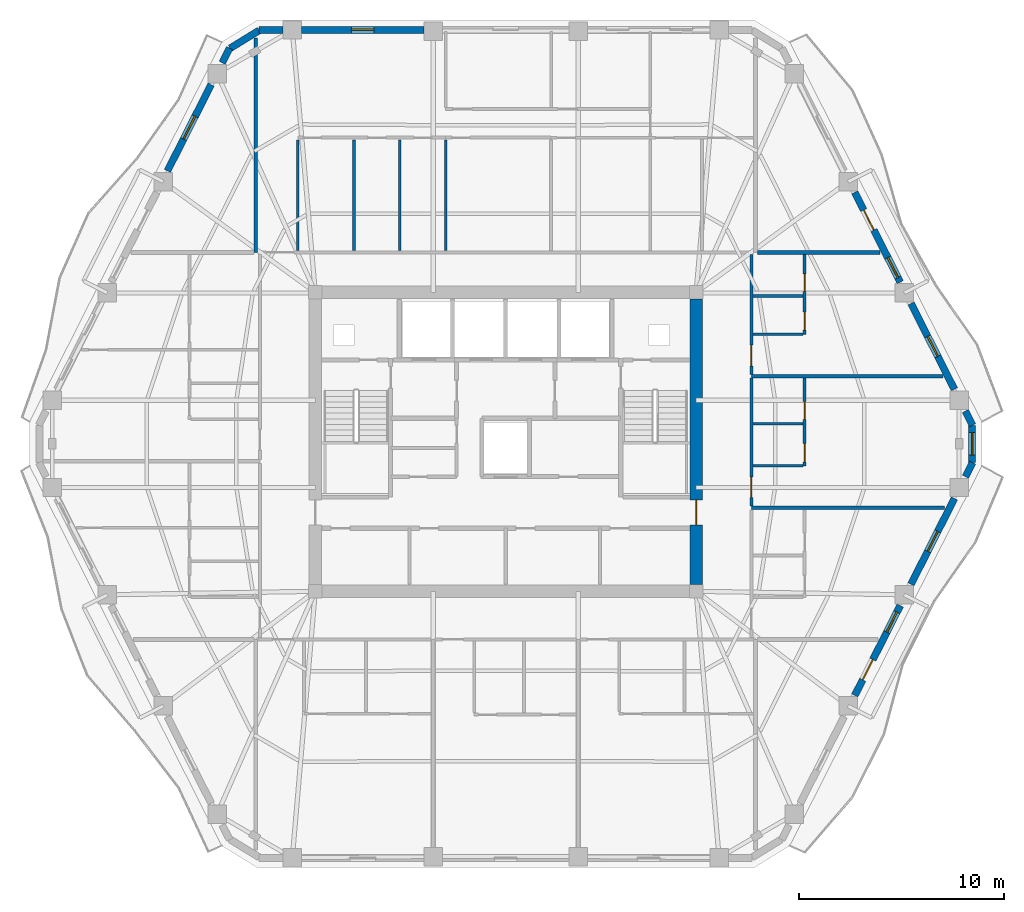
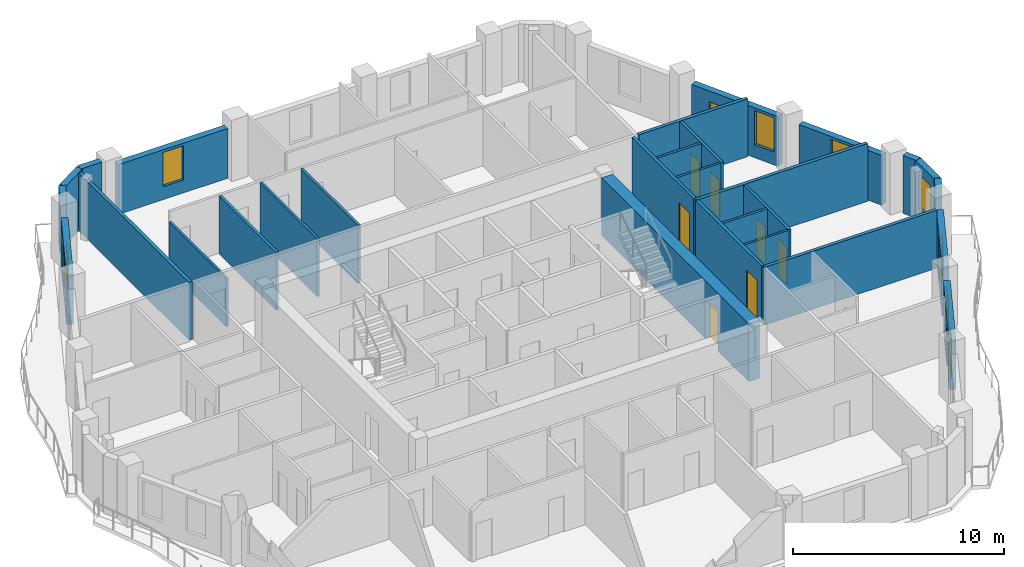
# One storey, part 7 of 12: 29 walls, 9 doors, 7 windows, 16 openings.
"""IFC4 building model written with IfcOpenShell, lengths in metres."""

from ifc_helpers import new_model, si_unit, direction, frame, frame_2d, origin, place, context, subcontext, project, spatial, rectangle, extrude, material, layer, layer_set, type_object, element, fill, save


model = new_model("IFC4")

# Units and contexts
model_context = context("Model", 3, precision=1e-05, world=origin(), true_north=direction((0.0, 1.0)))
body_context = subcontext(model_context, "Body", "Model", "MODEL_VIEW")
ifc_project = project(units=[si_unit("LENGTHUNIT", "METRE"), si_unit("AREAUNIT", "SQUARE_METRE"), si_unit("VOLUMEUNIT", "CUBIC_METRE"), si_unit("PLANEANGLEUNIT", "RADIAN"), si_unit("MASSUNIT", "GRAM", prefix="KILO")], contexts=[model_context])

# Site, building, storey
site_placement = place(None, origin())
site = spatial("IfcSite", under=ifc_project, at=site_placement, CompositionType="ELEMENT")
building_placement = place(site_placement, origin())
building = spatial("IfcBuilding", under=site, at=building_placement, Name="Cinnabar Lancet Tower", CompositionType="ELEMENT")
storey_placement = place(building_placement, frame((0.0, 0.0, 189.64990234375)))
storey = spatial("IfcBuildingStorey", under=building, at=storey_placement, Name="L50", CompositionType="ELEMENT", Elevation=189.64990234375)

# Wall, opening, door
ifc_material_1 = material(Name="Acoustic twin-stud gypsum partition", Category="gypsum")
ifc_layer_1 = layer(ifc_material_1, 0.159912109375)
ifc_layer_set_1 = layer_set([ifc_layer_1], Name="Acoustic twin-stud gypsum partition")
wall_type_1 = type_object("IfcWallType", Name="ARC-WL-CORR-160", PredefinedType="PARTITIONING", material=ifc_layer_set_1)
wall_1_placement = place(storey_placement, frame((44.39990234375, 22.77099609375, 0.0), z_axis=(0.0, 0.0, 1.0), x_axis=(0.0, 1.0, 0.0)))
wall_1 = element("IfcWall", 1, at=wall_1_placement, inside=storey, type_object=wall_type_1, Name="UW-L50-E02-COR", PredefinedType="PARTITIONING", context=body_context, shape_type="SweptSolid", body=[
    extrude(rectangle(XDim=6.236083984375, YDim=0.159912109375, at=frame_2d((3.1181640625, 0.0))), origin(), (0.0, 0.0, 1.0), 3.35009765625),
])
opening_1_placement = place(wall_1_placement, frame((0.39990234375, 0.0, 0.0)))
opening_1 = element("IfcOpeningElement", 2, at=opening_1_placement, cuts=wall_1, Name="Opening UD-01", PredefinedType="OPENING", context=body_context, shape_type="SweptSolid", body=[
    extrude(rectangle(XDim=1.02001953125, YDim=2.25, at=frame_2d((0.510009765625, 1.125))), frame((0.0, 0.08984375, 0.0), z_axis=(0.0, -1.0, 0.0), x_axis=(1.0, 0.0, 0.0)), (0.0, 0.0, 1.0), 0.179931640625),
])
ifc_material_2 = material(Name="Solid timber fire-rated apartment entrance door", Category="wood")
door_type_1 = type_object("IfcDoorType", Name="ARC-DR-UNIT", OperationType="NOTDEFINED", PredefinedType="DOOR", material=ifc_material_2)
door_1_placement = place(opening_1_placement, origin())
door_1 = element("IfcDoor", 3, at=door_1_placement, inside=storey, type_object=door_type_1, Name="DR-L50-E02-ENT", OperationType="SINGLE_SWING_LEFT", OverallHeight=2.25, OverallWidth=1.02001953125, PredefinedType="DOOR", context=body_context, shape_type="SweptSolid", body=[
    extrude(rectangle(XDim=1.02001953125, YDim=2.25, at=frame_2d((0.510009765625, 1.125))), frame((0.0, 0.02490234375, 0.0), z_axis=(0.0, -1.0, 0.0), x_axis=(1.0, 0.0, 0.0)), (0.0, 0.0, 1.0), 0.050048828125),
])
fill(opening_1, door_1)

wall_2_placement = place(storey_placement, frame((44.39990234375, 29.197021484375, 0.0), z_axis=(0.0, 0.0, 1.0), x_axis=(0.0, 1.0, 0.0)))
wall_2 = element("IfcWall", 4, at=wall_2_placement, inside=storey, type_object=wall_type_1, Name="UW-L50-E03-COR", PredefinedType="PARTITIONING", context=body_context, shape_type="SweptSolid", body=[
    extrude(rectangle(XDim=5.85791015625, YDim=0.159912109375, at=frame_2d((2.928955078125, 0.0))), origin(), (0.0, 0.0, 1.0), 3.35009765625),
])
opening_2_placement = place(wall_2_placement, frame((0.39990234375, 0.0, 0.0)))
opening_2 = element("IfcOpeningElement", 5, at=opening_2_placement, cuts=wall_2, Name="Opening UD-01", PredefinedType="OPENING", context=body_context, shape_type="SweptSolid", body=[
    extrude(rectangle(XDim=1.02001953125, YDim=2.25, at=frame_2d((0.510009765625, 1.125))), frame((0.0, 0.08984375, 0.0), z_axis=(0.0, -1.0, 0.0), x_axis=(1.0, 0.0, 0.0)), (0.0, 0.0, 1.0), 0.179931640625),
])
door_2_placement = place(opening_2_placement, origin())
door_2 = element("IfcDoor", 6, at=door_2_placement, inside=storey, type_object=door_type_1, Name="DR-L50-E03-ENT", OperationType="SINGLE_SWING_RIGHT", OverallHeight=2.25, OverallWidth=1.02001953125, PredefinedType="DOOR", context=body_context, shape_type="SweptSolid", body=[
    extrude(rectangle(XDim=1.02001953125, YDim=2.25, at=frame_2d((0.510009765625, 1.125))), frame((0.0, 0.02490234375, 0.0), z_axis=(0.0, -1.0, 0.0), x_axis=(1.0, 0.0, 0.0)), (0.0, 0.0, 1.0), 0.050048828125),
])
fill(opening_2, door_2)

# Walls
ifc_material_3 = material(Name="Fire-rated twin-frame acoustic drywall", Category="gypsum")
ifc_layer_2 = layer(ifc_material_3, 0.179931640625)
ifc_layer_set_2 = layer_set([ifc_layer_2], Name="Fire-rated twin-frame acoustic drywall")
wall_type_2 = type_object("IfcWallType", Name="ARC-WL-PARTY-180", PredefinedType="PARTITIONING", material=ifc_layer_set_2)
wall_3_placement = place(storey_placement, frame((20.199951171875, 35.14990234375, 0.0), z_axis=(0.0, 0.0, 1.0), x_axis=(0.0, 1.0, 0.0)))
element("IfcWall", 7, at=wall_3_placement, inside=storey, type_object=wall_type_2, Name="PW-L50-NPTY-202", PredefinedType="PARTITIONING", context=body_context, shape_type="SweptSolid", body=[
    extrude(rectangle(XDim=10.482177734375, YDim=0.179931640625, at=frame_2d((5.2412109375, 0.0))), origin(), (0.0, 0.0, 1.0), 3.35009765625),
])
wall_4_placement = place(storey_placement, frame((44.695068359375, 35.14990234375, 0.0), z_axis=(0.0, 0.0, 1.0), x_axis=(1.0, 0.0, 0.0)))
element("IfcWall", 8, at=wall_4_placement, inside=storey, type_object=wall_type_2, Name="PW-L50-ENB", PredefinedType="PARTITIONING", context=body_context, shape_type="SweptSolid", body=[
    extrude(rectangle(XDim=5.994873046875, YDim=0.179931640625, at=frame_2d((2.99755859375, 0.0))), origin(), (0.0, 0.0, 1.0), 3.35009765625),
])
wall_5_placement = place(storey_placement, frame((44.39990234375, 22.676025390625, 0.0), z_axis=(0.0, 0.0, 1.0), x_axis=(1.0, 0.0, 0.0)))
element("IfcWall", 9, at=wall_5_placement, inside=storey, type_object=wall_type_2, Name="PW-L50-EPTY-1", PredefinedType="PARTITIONING", context=body_context, shape_type="SweptSolid", body=[
    extrude(rectangle(XDim=9.440185546875, YDim=0.179931640625, at=frame_2d((4.72021484375, 0.0))), origin(), (0.0, 0.0, 1.0), 3.35009765625),
])
wall_6_placement = place(storey_placement, frame((44.39990234375, 29.10205078125, 0.0), z_axis=(0.0, 0.0, 1.0), x_axis=(1.0, 0.0, 0.0)))
element("IfcWall", 10, at=wall_6_placement, inside=storey, type_object=wall_type_2, Name="PW-L50-EPTY-2", PredefinedType="PARTITIONING", context=body_context, shape_type="SweptSolid", body=[
    extrude(rectangle(XDim=9.35009765625, YDim=0.179931640625, at=frame_2d((4.675048828125, 0.0))), origin(), (0.0, 0.0, 1.0), 3.35009765625),
])
ifc_material_4 = material(Name="Gypsum plasterboard stud partition", Category="gypsum")
ifc_layer_3 = layer(ifc_material_4, 0.125)
ifc_layer_set_3 = layer_set([ifc_layer_3], Name="Gypsum plasterboard stud partition")
wall_type_3 = type_object("IfcWallType", Name="ARC-WL-UNIT-125", PredefinedType="PARTITIONING", material=ifc_layer_set_3)
wall_7_placement = place(storey_placement, frame((22.25, 35.235107421875, 0.0), z_axis=(0.0, 0.0, 1.0), x_axis=(0.0, 1.0, 0.0)))
element("IfcWall", 11, at=wall_7_placement, inside=storey, type_object=wall_type_3, Name="UW-L50-N01-FOYE", PredefinedType="PARTITIONING", context=body_context, shape_type="SweptSolid", body=[
    extrude(rectangle(XDim=5.413818359375, YDim=0.125, at=frame_2d((2.70703125, 0.0))), origin(), (0.0, 0.0, 1.0), 2.80712890625),
])
wall_8_placement = place(storey_placement, frame((27.23291015625, 35.235107421875, 0.0), z_axis=(0.0, 0.0, 1.0), x_axis=(0.0, 1.0, 0.0)))
element("IfcWall", 12, at=wall_8_placement, inside=storey, type_object=wall_type_3, Name="UW-L50-N01-STD", PredefinedType="PARTITIONING", context=body_context, shape_type="SweptSolid", body=[
    extrude(rectangle(XDim=5.413818359375, YDim=0.125, at=frame_2d((2.70703125, 0.0))), origin(), (0.0, 0.0, 1.0), 3.35009765625),
])
for number, where, z_axis, x_axis, name in (
    (13, (44.485107421875, 24.72607421875, 0.0), (0.0, 0.0, 1.0), (1.0, 0.0, 0.0), "UW-L50-E02-FOYN"),
    (14, (44.485107421875, 31.152099609375, 0.0), (0.0, 0.0, 1.0), (1.0, 0.0, 0.0), "UW-L50-E03-FOYN"),
):
    element("IfcWall", number, at=place(storey_placement, frame(where, z_axis=z_axis, x_axis=x_axis)), inside=storey, type_object=wall_type_3, Name=name, PredefinedType="PARTITIONING", context=body_context, shape_type="SweptSolid", body=[
        extrude(rectangle(XDim=2.429931640625, YDim=0.125, at=frame_2d((1.21484375, 0.0))), origin(), (0.0, 0.0, 1.0), 3.35009765625),
    ])
ifc_material_5 = material(Name="Moisture-resistant cement-board plumbing wall", Category="masonry")
ifc_layer_4 = layer(ifc_material_5, 0.139892578125)
ifc_layer_set_4 = layer_set([ifc_layer_4], Name="Moisture-resistant cement-board plumbing wall")
wall_type_4 = type_object("IfcWallType", Name="ARC-WL-WET-140", PredefinedType="PLUMBINGWALL", material=ifc_layer_set_4)
for number, where, z_axis, x_axis, name in (
    (15, (24.993896484375, 35.235107421875, 0.0), (0.0, 0.0, 1.0), (0.0, 1.0, 0.0), "UW-L50-N01-KDV"),
    (16, (29.471923828125, 35.235107421875, 0.0), (0.0, 0.0, 1.0), (0.0, 1.0, 0.0), "UW-L50-N01-ENSW"),
):
    element("IfcWall", number, at=place(storey_placement, frame(where, z_axis=z_axis, x_axis=x_axis)), inside=storey, type_object=wall_type_4, Name=name, PredefinedType="PLUMBINGWALL", context=body_context, shape_type="SweptSolid", body=[
        extrude(rectangle(XDim=5.413818359375, YDim=0.139892578125, at=frame_2d((2.70703125, 0.0))), origin(), (0.0, 0.0, 1.0), 3.35009765625),
    ])

# Wall, openings, doors
wall_9_placement = place(storey_placement, frame((47.0, 24.72607421875, 0.0), z_axis=(0.0, 0.0, 1.0), x_axis=(0.0, 1.0, 0.0)))
wall_9 = element("IfcWall", 17, at=wall_9_placement, inside=storey, type_object=wall_type_4, Name="UW-L50-E02-SPL", PredefinedType="PLUMBINGWALL", context=body_context, shape_type="SweptSolid", body=[
    extrude(rectangle(XDim=4.281005859375, YDim=0.139892578125, at=frame_2d((2.140625, 0.0))), origin(), (0.0, 0.0, 1.0), 3.35009765625),
])
opening_3_placement = place(wall_9_placement, frame((2.27490234375, 0.0, 0.0)))
opening_3 = element("IfcOpeningElement", 18, at=opening_3_placement, cuts=wall_9, Name="Opening BD-01", PredefinedType="OPENING", context=body_context, shape_type="SweptSolid", body=[
    extrude(rectangle(XDim=0.860107421875, YDim=2.10009765625, at=frame_2d((0.43017578125, 1.050048828125))), frame((0.0, 0.079833984375, 0.0), z_axis=(0.0, -1.0, 0.0), x_axis=(1.0, 0.0, 0.0)), (0.0, 0.0, 1.0), 0.159912109375),
])
opening_4_placement = place(wall_9_placement, frame((0.199951171875, 0.0, 0.0)))
opening_4 = element("IfcOpeningElement", 19, at=opening_4_placement, cuts=wall_9, Name="Opening RD-02", PredefinedType="OPENING", context=body_context, shape_type="SweptSolid", body=[
    extrude(rectangle(XDim=0.8798828125, YDim=2.14990234375, at=frame_2d((0.43994140625, 1.074951171875))), frame((0.0, 0.079833984375, 0.0), z_axis=(0.0, -1.0, 0.0), x_axis=(1.0, 0.0, 0.0)), (0.0, 0.0, 1.0), 0.159912109375),
])
ifc_material_6 = material(Name="Moisture-resistant timber bathroom door", Category="wood")
door_type_2 = type_object("IfcDoorType", Name="ARC-DR-BATH", OperationType="NOTDEFINED", PredefinedType="DOOR", material=ifc_material_6)
door_3_placement = place(opening_3_placement, origin())
door_3 = element("IfcDoor", 20, at=door_3_placement, inside=storey, type_object=door_type_2, Name="DR-L50-E02-BTH", OperationType="SINGLE_SWING_LEFT", OverallHeight=2.10009765625, OverallWidth=0.860107421875, PredefinedType="DOOR", context=body_context, shape_type="SweptSolid", body=[
    extrude(rectangle(XDim=0.860107421875, YDim=2.10009765625, at=frame_2d((0.43017578125, 1.050048828125))), frame((0.0, 0.02490234375, 0.0), z_axis=(0.0, -1.0, 0.0), x_axis=(1.0, 0.0, 0.0)), (0.0, 0.0, 1.0), 0.050048828125),
])
fill(opening_3, door_3)
ifc_material_7 = material(Name="Engineered timber study door", Category="wood")
door_type_3 = type_object("IfcDoorType", Name="ARC-DR-STUDY", OperationType="NOTDEFINED", PredefinedType="DOOR", material=ifc_material_7)
door_4_placement = place(opening_4_placement, origin())
door_4 = element("IfcDoor", 21, at=door_4_placement, inside=storey, type_object=door_type_3, Name="DR-L50-E02-KIT", OperationType="SINGLE_SWING_RIGHT", OverallHeight=2.14990234375, OverallWidth=0.8798828125, PredefinedType="DOOR", context=body_context, shape_type="SweptSolid", body=[
    extrude(rectangle(XDim=0.8798828125, YDim=2.14990234375, at=frame_2d((0.43994140625, 1.074951171875))), frame((0.0, 0.02490234375, 0.0), z_axis=(0.0, -1.0, 0.0), x_axis=(1.0, 0.0, 0.0)), (0.0, 0.0, 1.0), 0.050048828125),
])
fill(opening_4, door_4)

# Wall
wall_10_placement = place(storey_placement, frame((44.485107421875, 26.781005859375, 0.0), z_axis=(0.0, 0.0, 1.0), x_axis=(1.0, 0.0, 0.0)))
element("IfcWall", 22, at=wall_10_placement, inside=storey, type_object=wall_type_4, Name="UW-L50-E02-KDV", PredefinedType="PLUMBINGWALL", context=body_context, shape_type="SweptSolid", body=[
    extrude(rectangle(XDim=2.429931640625, YDim=0.139892578125, at=frame_2d((1.21484375, 0.0))), origin(), (0.0, 0.0, 1.0), 3.35009765625),
])

# Wall, openings, doors
wall_11_placement = place(storey_placement, frame((47.0, 31.152099609375, 0.0), z_axis=(0.0, 0.0, 1.0), x_axis=(0.0, 1.0, 0.0)))
wall_11 = element("IfcWall", 23, at=wall_11_placement, inside=storey, type_object=wall_type_4, Name="UW-L50-E03-SPL", PredefinedType="PLUMBINGWALL", context=body_context, shape_type="SweptSolid", body=[
    extrude(rectangle(XDim=3.90283203125, YDim=0.139892578125, at=frame_2d((1.951416015625, 0.0))), origin(), (0.0, 0.0, 1.0), 3.35009765625),
])
opening_5_placement = place(wall_11_placement, frame((2.093017578125, 0.0, 0.0)))
opening_5 = element("IfcOpeningElement", 24, at=opening_5_placement, cuts=wall_11, Name="Opening BD-01", PredefinedType="OPENING", context=body_context, shape_type="SweptSolid", body=[
    extrude(rectangle(XDim=0.860107421875, YDim=2.10009765625, at=frame_2d((0.43017578125, 1.050048828125))), frame((0.0, 0.079833984375, 0.0), z_axis=(0.0, -1.0, 0.0), x_axis=(1.0, 0.0, 0.0)), (0.0, 0.0, 1.0), 0.159912109375),
])
opening_6_placement = place(wall_11_placement, frame((0.199951171875, 0.0, 0.0)))
opening_6 = element("IfcOpeningElement", 25, at=opening_6_placement, cuts=wall_11, Name="Opening RD-02", PredefinedType="OPENING", context=body_context, shape_type="SweptSolid", body=[
    extrude(rectangle(XDim=0.8798828125, YDim=2.14990234375, at=frame_2d((0.43994140625, 1.074951171875))), frame((0.0, 0.079833984375, 0.0), z_axis=(0.0, -1.0, 0.0), x_axis=(1.0, 0.0, 0.0)), (0.0, 0.0, 1.0), 0.159912109375),
])
door_5_placement = place(opening_5_placement, origin())
door_5 = element("IfcDoor", 26, at=door_5_placement, inside=storey, type_object=door_type_2, Name="DR-L50-E03-BTH", OperationType="SINGLE_SWING_RIGHT", OverallHeight=2.10009765625, OverallWidth=0.860107421875, PredefinedType="DOOR", context=body_context, shape_type="SweptSolid", body=[
    extrude(rectangle(XDim=0.860107421875, YDim=2.10009765625, at=frame_2d((0.43017578125, 1.050048828125))), frame((0.0, 0.02490234375, 0.0), z_axis=(0.0, -1.0, 0.0), x_axis=(1.0, 0.0, 0.0)), (0.0, 0.0, 1.0), 0.050048828125),
])
fill(opening_5, door_5)
door_6_placement = place(opening_6_placement, origin())
door_6 = element("IfcDoor", 27, at=door_6_placement, inside=storey, type_object=door_type_3, Name="DR-L50-E03-KIT", OperationType="SINGLE_SWING_LEFT", OverallHeight=2.14990234375, OverallWidth=0.8798828125, PredefinedType="DOOR", context=body_context, shape_type="SweptSolid", body=[
    extrude(rectangle(XDim=0.8798828125, YDim=2.14990234375, at=frame_2d((0.43994140625, 1.074951171875))), frame((0.0, 0.02490234375, 0.0), z_axis=(0.0, -1.0, 0.0), x_axis=(1.0, 0.0, 0.0)), (0.0, 0.0, 1.0), 0.050048828125),
])
fill(opening_6, door_6)

# Wall
wall_12_placement = place(storey_placement, frame((44.485107421875, 33.02490234375, 0.0), z_axis=(0.0, 0.0, 1.0), x_axis=(1.0, 0.0, 0.0)))
element("IfcWall", 28, at=wall_12_placement, inside=storey, type_object=wall_type_4, Name="UW-L50-E03-KDV", PredefinedType="PLUMBINGWALL", context=body_context, shape_type="SweptSolid", body=[
    extrude(rectangle(XDim=2.429931640625, YDim=0.139892578125, at=frame_2d((1.21484375, 0.0))), origin(), (0.0, 0.0, 1.0), 3.35009765625),
])

# Wall, opening, window
ifc_material_8 = material(Name="Cinnabar red clay brick", Category="masonry")
ifc_layer_5 = layer(ifc_material_8, 0.340087890625)
ifc_layer_set_5 = layer_set([ifc_layer_5], Name="Cinnabar red clay brick")
wall_type_5 = type_object("IfcWallType", Name="ENV-WL-BRK-RED-340", PredefinedType="STANDARD", material=ifc_layer_set_5)
wall_13_placement = place(storey_placement, frame((55.177978515625, 24.89208984375, 0.0), z_axis=(0.0, 0.0, 1.0), x_axis=(0.0, 1.0, 0.0)))
wall_13 = element("IfcWall", 29, at=wall_13_placement, inside=storey, type_object=wall_type_5, Name="L50 Chamfered Corner Brick Pier 3.1", PredefinedType="STANDARD", context=body_context, shape_type="SweptSolid", body=[
    extrude(rectangle(XDim=1.81591796875, YDim=0.340087890625, at=frame_2d((0.907958984375, 0.0))), origin(), (0.0, 0.0, 1.0), 3.35009765625),
])
opening_7_placement = place(wall_13_placement, frame((0.35791015625, 0.0, 0.75)))
opening_7 = element("IfcOpeningElement", 30, at=opening_7_placement, cuts=wall_13, Name="Opening WN-04", PredefinedType="OPENING", context=body_context, shape_type="SweptSolid", body=[
    extrude(rectangle(XDim=1.10009765625, YDim=2.0, at=frame_2d((0.550048828125, 1.0))), frame((0.0, 0.179931640625, 0.0), z_axis=(0.0, -1.0, 0.0), x_axis=(1.0, 0.0, 0.0)), (0.0, 0.0, 1.0), 0.360107421875),
])
ifc_material_9 = material(Name="Thermally broken bronze-anodized aluminium tall lancet window", Category="aluminium")
window_type_1 = type_object("IfcWindowType", Name="ENV-WN-LANCET-1100", PartitioningType="SINGLE_PANEL", PredefinedType="WINDOW", material=ifc_material_9)
window_1_placement = place(opening_7_placement, origin())
window_1 = element("IfcWindow", 31, at=window_1_placement, inside=storey, type_object=window_type_1, Name="L50 Dwelling Gothic Lancet Window 328", OverallHeight=2.0, OverallWidth=1.10009765625, PartitioningType="SINGLE_PANEL", PredefinedType="WINDOW", context=body_context, shape_type="SweptSolid", body=[
    extrude(rectangle(XDim=1.10009765625, YDim=2.0, at=frame_2d((0.550048828125, 1.0))), frame((0.0, 0.030029296875, 0.0), z_axis=(0.0, -1.0, 0.0), x_axis=(1.0, 0.0, 0.0)), (0.0, 0.0, 1.0), 0.06005859375),
])
fill(opening_7, window_1)

# Wall
wall_14_placement = place(storey_placement, frame((20.366943359375, 45.9951171875, 0.0), z_axis=(0.0, 0.0, 1.0), x_axis=(-0.851713271379, -0.524008113828, 0.0)))
element("IfcWall", 32, at=wall_14_placement, inside=storey, type_object=wall_type_5, Name="L50 Chamfered Corner Brick Pier 5.1", PredefinedType="STANDARD", context=body_context, shape_type="SweptSolid", body=[
    extrude(rectangle(XDim=1.677734375, YDim=0.340087890625, at=frame_2d((0.8388671875, 0.0))), origin(), (0.0, 0.0, 1.0), 3.35009765625),
])

# Wall, openings, door, window
wall_15_placement = place(storey_placement, frame((49.447998046875, 13.51708984375, 0.0), z_axis=(0.0, 0.0, 1.0), x_axis=(0.451544279509, 0.892248711763, 0.0)))
wall_15 = element("IfcWall", 33, at=wall_15_placement, inside=storey, type_object=wall_type_5, Name="L50 Face 2 Masonry Bay Wall 3", PredefinedType="STANDARD", context=body_context, shape_type="SweptSolid", body=[
    extrude(rectangle(XDim=4.909912109375, YDim=0.340087890625, at=frame_2d((2.455078125, 0.0))), origin(), (0.0, 0.0, 1.0), 2.883056640625),
])
opening_8_placement = place(wall_15_placement, frame((0.85595703125, 0.0, 0.0)))
opening_8 = element("IfcOpeningElement", 34, at=opening_8_placement, cuts=wall_15, Name="Opening TD-01", PredefinedType="OPENING", context=body_context, shape_type="SweptSolid", body=[
    extrude(rectangle(XDim=1.10009765625, YDim=2.25, at=frame_2d((0.550048828125, 1.125))), frame((0.0, 0.179931640625, 0.0), z_axis=(0.0, -1.0, 0.0), x_axis=(1.0, 0.0, 0.0)), (0.0, 0.0, 1.0), 0.360107421875),
])
opening_9_placement = place(wall_15_placement, frame((3.45703125, 0.0, 0.75)))
opening_9 = element("IfcOpeningElement", 35, at=opening_9_placement, cuts=wall_15, Name="Opening WN-04", PredefinedType="OPENING", context=body_context, shape_type="SweptSolid", body=[
    extrude(rectangle(XDim=1.10009765625, YDim=1.98291015625, at=frame_2d((0.550048828125, 0.991455078125))), frame((0.0, 0.179931640625, 0.0), z_axis=(0.0, -1.0, 0.0), x_axis=(1.0, 0.0, 0.0)), (0.0, 0.0, 1.0), 0.360107421875),
])
ifc_material_10 = material(Name="Thermally broken low-E glazed balcony terrace door", Category="wood")
door_type_4 = type_object("IfcDoorType", Name="ARC-DR-BALC", OperationType="NOTDEFINED", PredefinedType="DOOR", material=ifc_material_10)
door_7_placement = place(opening_8_placement, origin())
door_7 = element("IfcDoor", 36, at=door_7_placement, inside=storey, type_object=door_type_4, Name="L50 Face 2 Glazed Terrace Door", OperationType="SINGLE_SWING_LEFT", OverallHeight=2.25, OverallWidth=1.10009765625, PredefinedType="DOOR", context=body_context, shape_type="SweptSolid", body=[
    extrude(rectangle(XDim=1.10009765625, YDim=2.25, at=frame_2d((0.550048828125, 1.125))), frame((0.0, 0.02490234375, 0.0), z_axis=(0.0, -1.0, 0.0), x_axis=(1.0, 0.0, 0.0)), (0.0, 0.0, 1.0), 0.050048828125),
])
fill(opening_8, door_7)
window_2_placement = place(opening_9_placement, origin())
window_2 = element("IfcWindow", 37, at=window_2_placement, inside=storey, type_object=window_type_1, Name="L50 Split-Bay Gothic Lancet Window 160", OverallHeight=1.98291015625, OverallWidth=1.10009765625, PartitioningType="SINGLE_PANEL", PredefinedType="WINDOW", context=body_context, shape_type="SweptSolid", body=[
    extrude(rectangle(XDim=1.10009765625, YDim=1.98291015625, at=frame_2d((0.550048828125, 0.991455078125))), frame((0.0, 0.030029296875, 0.0), z_axis=(0.0, -1.0, 0.0), x_axis=(1.0, 0.0, 0.0)), (0.0, 0.0, 1.0), 0.06005859375),
])
fill(opening_9, window_2)

# Wall, opening, window
wall_16_placement = place(storey_placement, frame((52.193115234375, 18.943115234375, 0.0), z_axis=(0.0, 0.0, 1.0), x_axis=(0.451447222193, 0.892297823361, 0.0)))
wall_16 = element("IfcWall", 38, at=wall_16_placement, inside=storey, type_object=wall_type_5, Name="L50 Face 2 Masonry Bay Wall 4", PredefinedType="STANDARD", context=body_context, shape_type="SweptSolid", body=[
    extrude(rectangle(XDim=4.699951171875, YDim=0.340087890625, at=frame_2d((2.35009765625, 0.0))), origin(), (0.0, 0.0, 1.0), 2.883056640625),
])
opening_10_placement = place(wall_16_placement, frame((1.800048828125, 0.0, 0.75)))
opening_10 = element("IfcOpeningElement", 39, at=opening_10_placement, cuts=wall_16, Name="Opening WN-04", PredefinedType="OPENING", context=body_context, shape_type="SweptSolid", body=[
    extrude(rectangle(XDim=1.10009765625, YDim=1.98291015625, at=frame_2d((0.550048828125, 0.991455078125))), frame((0.0, 0.179931640625, 0.0), z_axis=(0.0, -1.0, 0.0), x_axis=(1.0, 0.0, 0.0)), (0.0, 0.0, 1.0), 0.360107421875),
])
window_3_placement = place(opening_10_placement, origin())
window_3 = element("IfcWindow", 40, at=window_3_placement, inside=storey, type_object=window_type_1, Name="L50 Face 2 Gothic Lancet Window 4", OverallHeight=1.98291015625, OverallWidth=1.10009765625, PartitioningType="SINGLE_PANEL", PredefinedType="WINDOW", context=body_context, shape_type="SweptSolid", body=[
    extrude(rectangle(XDim=1.10009765625, YDim=1.98291015625, at=frame_2d((0.550048828125, 0.991455078125))), frame((0.0, 0.030029296875, 0.0), z_axis=(0.0, -1.0, 0.0), x_axis=(1.0, 0.0, 0.0)), (0.0, 0.0, 1.0), 0.06005859375),
])
fill(opening_10, window_3)

# Walls
for number, where, z_axis, x_axis, name in (
    (41, (54.85107421875, 24.197021484375, 0.0), (0.0, 0.0, 1.0), (0.451262448184, 0.892391283496, 0.0), "L50 Face 2 Masonry Bay Wall 5"),
    (42, (55.198974609375, 26.715087890625, 0.0), (0.0, 0.0, 1.0), (-0.451262448184, 0.892391283496, 0.0), "L50 Face 3 Masonry Bay Wall 1"),
):
    element("IfcWall", number, at=place(storey_placement, frame(where, z_axis=z_axis, x_axis=x_axis)), inside=storey, type_object=wall_type_5, Name=name, PredefinedType="STANDARD", context=body_context, shape_type="SweptSolid", body=[
        extrude(rectangle(XDim=0.77099609375, YDim=0.340087890625, at=frame_2d((0.385498046875, 0.0))), origin(), (0.0, 0.0, 1.0), 3.35009765625),
    ])

# Wall, opening, window
wall_17_placement = place(storey_placement, frame((54.31494140625, 28.462890625, 0.0), z_axis=(0.0, 0.0, 1.0), x_axis=(-0.451426298588, 0.892308409096, 0.0)))
wall_17 = element("IfcWall", 43, at=wall_17_placement, inside=storey, type_object=wall_type_5, Name="L50 Face 3 Masonry Bay Wall 2", PredefinedType="STANDARD", context=body_context, shape_type="SweptSolid", body=[
    extrude(rectangle(XDim=4.7001953125, YDim=0.340087890625, at=frame_2d((2.35009765625, 0.0))), origin(), (0.0, 0.0, 1.0), 2.883056640625),
])
opening_11_placement = place(wall_17_placement, frame((1.800048828125, 0.0, 0.75)))
opening_11 = element("IfcOpeningElement", 44, at=opening_11_placement, cuts=wall_17, Name="Opening WN-04", PredefinedType="OPENING", context=body_context, shape_type="SweptSolid", body=[
    extrude(rectangle(XDim=1.10009765625, YDim=1.98291015625, at=frame_2d((0.550048828125, 0.991455078125))), frame((0.0, 0.179931640625, 0.0), z_axis=(0.0, -1.0, 0.0), x_axis=(1.0, 0.0, 0.0)), (0.0, 0.0, 1.0), 0.360107421875),
])
window_4_placement = place(opening_11_placement, origin())
window_4 = element("IfcWindow", 45, at=window_4_placement, inside=storey, type_object=window_type_1, Name="L50 Face 3 Gothic Lancet Window 2", OverallHeight=1.98291015625, OverallWidth=1.10009765625, PartitioningType="SINGLE_PANEL", PredefinedType="WINDOW", context=body_context, shape_type="SweptSolid", body=[
    extrude(rectangle(XDim=1.10009765625, YDim=1.98291015625, at=frame_2d((0.550048828125, 0.991455078125))), frame((0.0, 0.030029296875, 0.0), z_axis=(0.0, -1.0, 0.0), x_axis=(1.0, 0.0, 0.0)), (0.0, 0.0, 1.0), 0.06005859375),
])
fill(opening_11, window_4)

# Wall, openings, door, window
wall_18_placement = place(storey_placement, frame((51.6650390625, 33.701904296875, 0.0), z_axis=(0.0, 0.0, 1.0), x_axis=(-0.451524246964, 0.89225884944, 0.0)))
wall_18 = element("IfcWall", 46, at=wall_18_placement, inside=storey, type_object=wall_type_5, Name="L50 Face 3 Masonry Bay Wall 3", PredefinedType="STANDARD", context=body_context, shape_type="SweptSolid", body=[
    extrude(rectangle(XDim=4.91015625, YDim=0.340087890625, at=frame_2d((2.455078125, 0.0))), origin(), (0.0, 0.0, 1.0), 2.883056640625),
])
opening_12_placement = place(wall_18_placement, frame((2.842041015625, 0.0, 0.0)))
opening_12 = element("IfcOpeningElement", 47, at=opening_12_placement, cuts=wall_18, Name="Opening TD-01", PredefinedType="OPENING", context=body_context, shape_type="SweptSolid", body=[
    extrude(rectangle(XDim=1.10009765625, YDim=2.25, at=frame_2d((0.550048828125, 1.125))), frame((0.0, 0.179931640625, 0.0), z_axis=(0.0, -1.0, 0.0), x_axis=(1.0, 0.0, 0.0)), (0.0, 0.0, 1.0), 0.360107421875),
])
opening_13_placement = place(wall_18_placement, frame((0.240966796875, 0.0, 0.75)))
opening_13 = element("IfcOpeningElement", 48, at=opening_13_placement, cuts=wall_18, Name="Opening WN-04", PredefinedType="OPENING", context=body_context, shape_type="SweptSolid", body=[
    extrude(rectangle(XDim=1.10009765625, YDim=1.98291015625, at=frame_2d((0.550048828125, 0.991455078125))), frame((0.0, 0.179931640625, 0.0), z_axis=(0.0, -1.0, 0.0), x_axis=(1.0, 0.0, 0.0)), (0.0, 0.0, 1.0), 0.360107421875),
])
door_8_placement = place(opening_12_placement, origin())
door_8 = element("IfcDoor", 49, at=door_8_placement, inside=storey, type_object=door_type_4, Name="L50 Face 3 Glazed Terrace Door", OperationType="SINGLE_SWING_RIGHT", OverallHeight=2.25, OverallWidth=1.10009765625, PredefinedType="DOOR", context=body_context, shape_type="SweptSolid", body=[
    extrude(rectangle(XDim=1.10009765625, YDim=2.25, at=frame_2d((0.550048828125, 1.125))), frame((0.0, 0.02490234375, 0.0), z_axis=(0.0, -1.0, 0.0), x_axis=(1.0, 0.0, 0.0)), (0.0, 0.0, 1.0), 0.050048828125),
])
fill(opening_12, door_8)
window_5_placement = place(opening_13_placement, origin())
window_5 = element("IfcWindow", 50, at=window_5_placement, inside=storey, type_object=window_type_1, Name="L50 Split-Bay Gothic Lancet Window 161", OverallHeight=1.98291015625, OverallWidth=1.10009765625, PartitioningType="SINGLE_PANEL", PredefinedType="WINDOW", context=body_context, shape_type="SweptSolid", body=[
    extrude(rectangle(XDim=1.10009765625, YDim=1.98291015625, at=frame_2d((0.550048828125, 0.991455078125))), frame((0.0, 0.030029296875, 0.0), z_axis=(0.0, -1.0, 0.0), x_axis=(1.0, 0.0, 0.0)), (0.0, 0.0, 1.0), 0.06005859375),
])
fill(opening_13, window_5)

# Wall, opening, window
wall_19_placement = place(storey_placement, frame((28.403076171875, 46.02001953125, 0.0), z_axis=(0.0, 0.0, 1.0), x_axis=(-1.0, 0.0, 0.0)))
wall_19 = element("IfcWall", 51, at=wall_19_placement, inside=storey, type_object=wall_type_5, Name="L50 Face 4 Masonry Bay Wall 4", PredefinedType="STANDARD", context=body_context, shape_type="SweptSolid", body=[
    extrude(rectangle(XDim=5.969970703125, YDim=0.340087890625, at=frame_2d((2.98486328125, 0.0))), origin(), (0.0, 0.0, 1.0), 2.883056640625),
])
opening_14_placement = place(wall_19_placement, frame((2.43505859375, 0.0, 0.75)))
opening_14 = element("IfcOpeningElement", 52, at=opening_14_placement, cuts=wall_19, Name="Opening WN-04", PredefinedType="OPENING", context=body_context, shape_type="SweptSolid", body=[
    extrude(rectangle(XDim=1.10009765625, YDim=1.98291015625, at=frame_2d((0.550048828125, 0.991455078125))), frame((0.0, 0.179931640625, 0.0), z_axis=(0.0, -1.0, 0.0), x_axis=(1.0, 0.0, 0.0)), (0.0, 0.0, 1.0), 0.360107421875),
])
window_6_placement = place(opening_14_placement, origin())
window_6 = element("IfcWindow", 53, at=window_6_placement, inside=storey, type_object=window_type_1, Name="L50 Face 4 Gothic Lancet Window 4", OverallHeight=1.98291015625, OverallWidth=1.10009765625, PartitioningType="SINGLE_PANEL", PredefinedType="WINDOW", context=body_context, shape_type="SweptSolid", body=[
    extrude(rectangle(XDim=1.10009765625, YDim=1.98291015625, at=frame_2d((0.550048828125, 0.991455078125))), frame((0.0, 0.030029296875, 0.0), z_axis=(0.0, -1.0, 0.0), x_axis=(1.0, 0.0, 0.0)), (0.0, 0.0, 1.0), 0.06005859375),
])
fill(opening_14, window_6)

# Walls
wall_20_placement = place(storey_placement, frame((21.52490234375, 46.02001953125, 0.0), z_axis=(0.0, 0.0, 1.0), x_axis=(-1.0, 0.0, 0.0)))
element("IfcWall", 54, at=wall_20_placement, inside=storey, type_object=wall_type_5, Name="L50 Face 4 Masonry Bay Wall 5", PredefinedType="STANDARD", context=body_context, shape_type="SweptSolid", body=[
    extrude(rectangle(XDim=1.162841796875, YDim=0.340087890625, at=frame_2d((0.58154296875, 0.0))), origin(), (0.0, 0.0, 1.0), 3.35009765625),
])
wall_21_placement = place(storey_placement, frame((18.91796875, 45.132080078125, 0.0), z_axis=(0.0, 0.0, 1.0), x_axis=(-0.451691568309, -0.892174157392, 0.0)))
element("IfcWall", 55, at=wall_21_placement, inside=storey, type_object=wall_type_5, Name="L50 Face 5 Masonry Bay Wall 1", PredefinedType="STANDARD", context=body_context, shape_type="SweptSolid", body=[
    extrude(rectangle(XDim=0.805908203125, YDim=0.340087890625, at=frame_2d((0.40283203125, 0.0))), origin(), (0.0, 0.0, 1.0), 3.35009765625),
])

# Wall, opening, window
wall_22_placement = place(storey_placement, frame((18.01708984375, 43.35107421875, 0.0), z_axis=(0.0, 0.0, 1.0), x_axis=(-0.45150207307, -0.892270070109, 0.0)))
wall_22 = element("IfcWall", 56, at=wall_22_placement, inside=storey, type_object=wall_type_5, Name="L50 Face 5 Masonry Bay Wall 2", PredefinedType="STANDARD", context=body_context, shape_type="SweptSolid", body=[
    extrude(rectangle(XDim=4.73095703125, YDim=0.340087890625, at=frame_2d((2.365478515625, 0.0))), origin(), (0.0, 0.0, 1.0), 2.883056640625),
])
opening_15_placement = place(wall_22_placement, frame((1.739990234375, 0.0, 0.75)))
opening_15 = element("IfcOpeningElement", 57, at=opening_15_placement, cuts=wall_22, Name="Opening WN-03", PredefinedType="OPENING", context=body_context, shape_type="SweptSolid", body=[
    extrude(rectangle(XDim=1.25, YDim=1.949951171875, at=frame_2d((0.625, 0.97509765625))), frame((0.0, 0.179931640625, 0.0), z_axis=(0.0, -1.0, 0.0), x_axis=(1.0, 0.0, 0.0)), (0.0, 0.0, 1.0), 0.360107421875),
])
ifc_material_11 = material(Name="Thermally broken bronze-anodized aluminium low-E double glazing", Category="aluminium")
window_type_2 = type_object("IfcWindowType", Name="ENV-WN-LANCET-1250", PartitioningType="SINGLE_PANEL", PredefinedType="WINDOW", material=ifc_material_11)
window_7_placement = place(opening_15_placement, origin())
window_7 = element("IfcWindow", 58, at=window_7_placement, inside=storey, type_object=window_type_2, Name="L50 Face 5 Gothic Lancet Window 2", OverallHeight=1.949951171875, OverallWidth=1.25, PartitioningType="SINGLE_PANEL", PredefinedType="WINDOW", context=body_context, shape_type="SweptSolid", body=[
    extrude(rectangle(XDim=1.25, YDim=1.949951171875, at=frame_2d((0.625, 0.97509765625))), frame((0.0, 0.030029296875, 0.0), z_axis=(0.0, -1.0, 0.0), x_axis=(1.0, 0.0, 0.0)), (0.0, 0.0, 1.0), 0.06005859375),
])
fill(opening_15, window_7)

# Wall, opening, door
ifc_material_12 = material(Name="Concrete C60/75", Category="concrete")
ifc_layer_6 = layer(ifc_material_12, 0.60009765625)
ifc_layer_set_6 = layer_set([ifc_layer_6], Name="Concrete C60/75")
wall_type_6 = type_object("IfcWallType", Name="STR-WL-CORE-600", PredefinedType="SHEAR", material=ifc_layer_set_6)
wall_23_placement = place(storey_placement, frame((41.699951171875, 18.925048828125, 0.0), z_axis=(0.0, 0.0, 1.0), x_axis=(0.0, 1.0, 0.0)))
wall_23 = element("IfcWall", 59, at=wall_23_placement, inside=storey, type_object=wall_type_6, Name="L50 Core Shear Wall E", PredefinedType="SHEAR", context=body_context, shape_type="SweptSolid", body=[
    extrude(rectangle(XDim=13.949951171875, YDim=0.60009765625, at=frame_2d((6.97509765625, 0.0))), origin(), (0.0, 0.0, 1.0), 3.35009765625),
])
opening_16_placement = place(wall_23_placement, frame((2.9150390625, 0.0, 0.0)))
opening_16 = element("IfcOpeningElement", 60, at=opening_16_placement, cuts=wall_23, Name="Opening FD-02", PredefinedType="OPENING", context=body_context, shape_type="SweptSolid", body=[
    extrude(rectangle(XDim=1.219970703125, YDim=2.25, at=frame_2d((0.60986328125, 1.125))), frame((0.0, 0.31005859375, 0.0), z_axis=(0.0, -1.0, 0.0), x_axis=(1.0, 0.0, 0.0)), (0.0, 0.0, 1.0), 0.6201171875),
])
ifc_material_13 = material(Name="Fire-rated double-vision core portal door", Category="wood")
door_type_5 = type_object("IfcDoorType", Name="ARC-DR-CPORT", OperationType="NOTDEFINED", PredefinedType="DOOR", material=ifc_material_13)
door_9_placement = place(opening_16_placement, origin())
door_9 = element("IfcDoor", 61, at=door_9_placement, inside=storey, type_object=door_type_5, Name="L50 East Core Lobby Fire Door", OperationType="SINGLE_SWING_LEFT", OverallHeight=2.25, OverallWidth=1.219970703125, PredefinedType="DOOR", context=body_context, shape_type="SweptSolid", body=[
    extrude(rectangle(XDim=1.219970703125, YDim=2.25, at=frame_2d((0.60986328125, 1.125))), frame((0.0, 0.02490234375, 0.0), z_axis=(0.0, -1.0, 0.0), x_axis=(1.0, 0.0, 0.0)), (0.0, 0.0, 1.0), 0.050048828125),
])
fill(opening_16, door_9)

save(model, "model.ifc")
